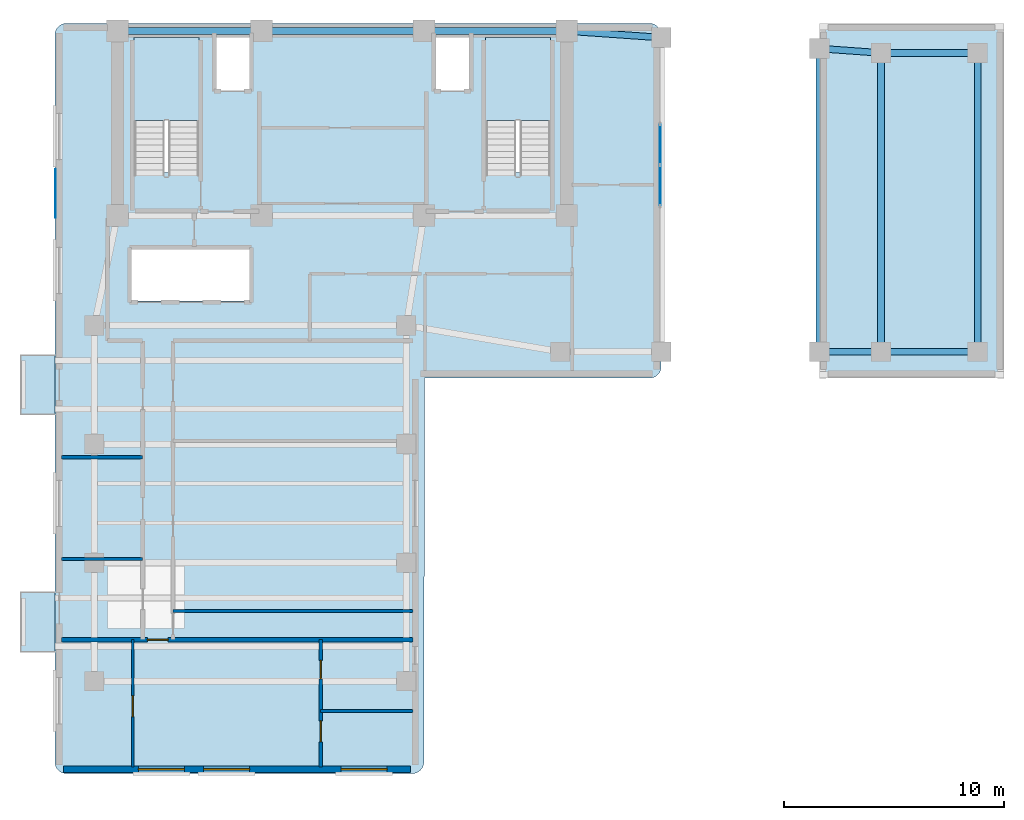
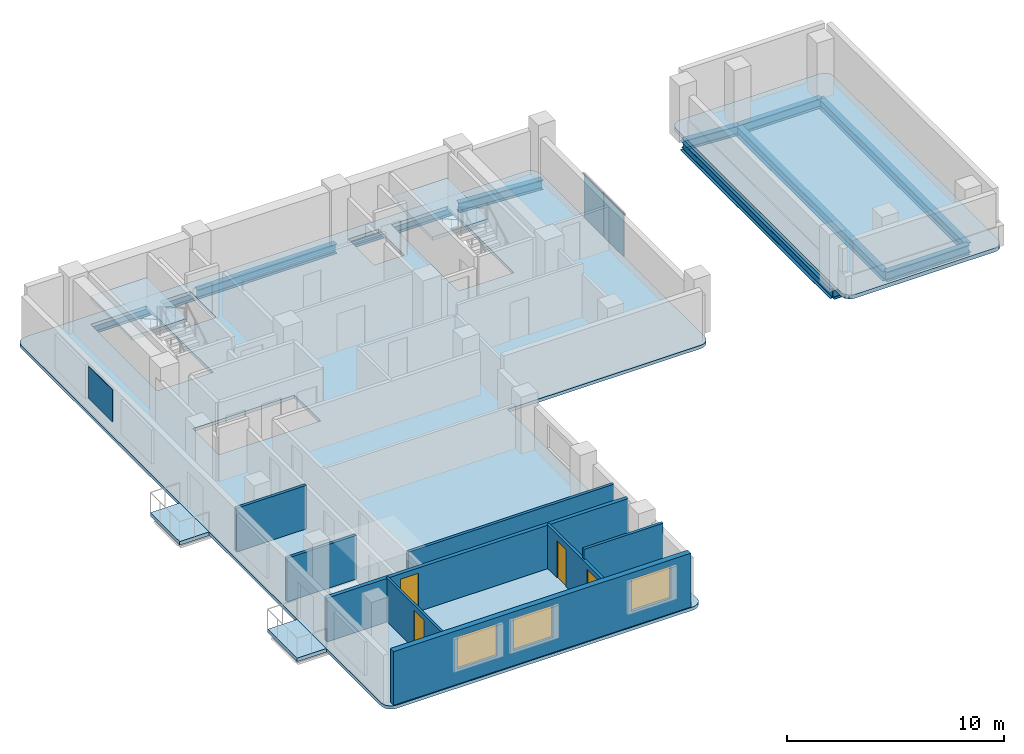
# One storey, part 5 of 9: 11 beams, 8 walls, 6 slabs, 4 doors, 3 plates, 3 windows, 7 openings, 3 elements without a shape of their own.
"""IFC4 building model written with IfcOpenShell, lengths in metres."""

from ifc_helpers import new_model, si_unit, direction, frame, frame_2d, origin, origin_2d, place, context, subcontext, project, spatial, polyline, rectangle, i_section, outline, extrude, material, layer, layer_set, material_profile, profile_set, type_object, element, fill, aggregate, save


model = new_model("IFC4")

# Units and contexts
model_context = context("Model", 3, precision=1e-05, world=origin(), true_north=direction((0.0, 1.0)))
body_context = subcontext(model_context, "Body", "Model", "MODEL_VIEW")
ifc_project = project(units=[si_unit("LENGTHUNIT", "METRE"), si_unit("AREAUNIT", "SQUARE_METRE"), si_unit("VOLUMEUNIT", "CUBIC_METRE"), si_unit("PLANEANGLEUNIT", "RADIAN"), si_unit("MASSUNIT", "GRAM", prefix="KILO")], contexts=[model_context])

# Site, building, storey
site_placement = place(None, origin())
site = spatial("IfcSite", under=ifc_project, at=site_placement, CompositionType="ELEMENT")
building_placement = place(site_placement, origin())
building = spatial("IfcBuilding", under=site, at=building_placement, Name="Kuzgunbayir Cultural Tower", CompositionType="ELEMENT")
storey_placement = place(building_placement, frame((0.0, 0.0, 166.39990234375)))
storey = spatial("IfcBuildingStorey", under=building, at=storey_placement, Name="L48", CompositionType="ELEMENT", Elevation=166.39990234375)

# Beams
ifc_material_1 = material(Name="Steel S355J2", Category="steel")
ifc_material_profile_1 = material_profile(ifc_material_1, i_section(OverallWidth=0.300048828125, OverallDepth=0.550048828125, WebThickness=0.014892578125, FlangeThickness=0.029052734375, FilletRadius=0.027099609375, at=origin_2d()), Name="HEB 550")
ifc_profile_set_1 = profile_set([ifc_material_profile_1], Name="Steel S355J2")
beam_type_1 = type_object("IfcBeamType", Name="BM-EXT-HEB550", PredefinedType="BEAM", material=ifc_profile_set_1)
beam_1_placement = place(storey_placement, frame((26.89990234375, 42.199951171875, -0.4599609375), z_axis=(0.997574369175, -0.069608749203, 0.0), x_axis=(0.069608749203, 0.997574369175, 0.0)))
element("IfcBeam", 1, at=beam_1_placement, inside=storey, type_object=beam_type_1, Name="L48 Wing B North Girder", PredefinedType="BEAM", context=body_context, shape_type="SweptSolid", body=[
    extrude(i_section(OverallWidth=0.300048828125, OverallDepth=0.550048828125, WebThickness=0.014892578125, FlangeThickness=0.029052734375, FilletRadius=0.027099609375, at=origin_2d()), origin(), (0.0, 0.0, 1.0), 4.310546875),
])
beam_2_placement = place(storey_placement, frame((38.39990234375, 27.60009765625, -0.489990234375), z_axis=(1.0, 0.0, 0.0), x_axis=(0.0, 1.0, 0.0)))
element("IfcBeam", 2, at=beam_2_placement, inside=storey, type_object=beam_type_1, Name="L48 Wing B South Girder", PredefinedType="BEAM", context=body_context, shape_type="SweptSolid", body=[
    extrude(i_section(OverallWidth=0.300048828125, OverallDepth=0.550048828125, WebThickness=0.014892578125, FlangeThickness=0.029052734375, FilletRadius=0.027099609375, at=origin_2d()), origin(), (0.0, 0.0, 1.0), 2.800048828125),
])
beam_3_placement = place(storey_placement, frame((38.39990234375, 41.39990234375, -0.489990234375), z_axis=(0.997460024076, -0.071228508128, 0.0), x_axis=(0.071228508128, 0.997460024076, 0.0)))
element("IfcBeam", 3, at=beam_3_placement, inside=storey, type_object=beam_type_1, Name="L48 Wing B North Girder", PredefinedType="BEAM", context=body_context, shape_type="SweptSolid", body=[
    extrude(i_section(OverallWidth=0.300048828125, OverallDepth=0.550048828125, WebThickness=0.014892578125, FlangeThickness=0.029052734375, FilletRadius=0.027099609375, at=origin_2d()), origin(), (0.0, 0.0, 1.0), 2.80712890625),
])
for number, where, z_axis, x_axis, name in (
    (4, (41.199951171875, 27.60009765625, -0.489990234375), (1.0, 0.0, 0.0), (0.0, 1.0, 0.0), "L48 Wing B South Girder"),
    (5, (41.199951171875, 41.199951171875, -0.489990234375), (1.0, 0.0, 0.0), (0.0, 1.0, 0.0), "L48 Wing B North Girder"),
):
    element("IfcBeam", number, at=place(storey_placement, frame(where, z_axis=z_axis, x_axis=x_axis)), inside=storey, type_object=beam_type_1, Name=name, PredefinedType="BEAM", context=body_context, shape_type="SweptSolid", body=[
        extrude(i_section(OverallWidth=0.300048828125, OverallDepth=0.550048828125, WebThickness=0.014892578125, FlangeThickness=0.029052734375, FilletRadius=0.027099609375, at=origin_2d()), origin(), (0.0, 0.0, 1.0), 4.400146484375),
    ])
ifc_material_profile_2 = material_profile(ifc_material_1, i_section(OverallWidth=0.300048828125, OverallDepth=0.550048828125, WebThickness=0.014892578125, FlangeThickness=0.029052734375, FilletRadius=0.027099609375, at=origin_2d()), Name="HEB 550")
ifc_profile_set_2 = profile_set([ifc_material_profile_2], Name="Steel S355J2")
beam_type_2 = type_object("IfcBeamType", Name="BM-GIR-HEB550", PredefinedType="BEAM", material=ifc_profile_set_2)
beam_4_placement = place(storey_placement, frame((6.449951171875, 42.199951171875, -0.4599609375), z_axis=(1.0, 0.0, 0.0), x_axis=(0.0, 1.0, 0.0)))
element("IfcBeam", 6, at=beam_4_placement, inside=storey, type_object=beam_type_2, Name="L48 Core North Girder 1", PredefinedType="BEAM", context=body_context, shape_type="SweptSolid", body=[
    extrude(i_section(OverallWidth=0.300048828125, OverallDepth=0.550048828125, WebThickness=0.014892578125, FlangeThickness=0.029052734375, FilletRadius=0.027099609375, at=origin_2d()), origin(), (0.0, 0.0, 1.0), 6.550048828125),
])
beam_5_placement = place(storey_placement, frame((13.0, 42.199951171875, -0.4599609375), z_axis=(1.0, 0.0, 0.0), x_axis=(0.0, 1.0, 0.0)))
element("IfcBeam", 7, at=beam_5_placement, inside=storey, type_object=beam_type_2, Name="L48 Core North Girder 2", PredefinedType="BEAM", context=body_context, shape_type="SweptSolid", body=[
    extrude(i_section(OverallWidth=0.300048828125, OverallDepth=0.550048828125, WebThickness=0.014892578125, FlangeThickness=0.029052734375, FilletRadius=0.027099609375, at=origin_2d()), origin(), (0.0, 0.0, 1.0), 7.39990234375),
])
beam_6_placement = place(storey_placement, frame((20.39990234375, 42.199951171875, -0.4599609375), z_axis=(1.0, 0.0, 0.0), x_axis=(0.0, 1.0, 0.0)))
element("IfcBeam", 8, at=beam_6_placement, inside=storey, type_object=beam_type_2, Name="L48 Core North Girder 3", PredefinedType="BEAM", context=body_context, shape_type="SweptSolid", body=[
    extrude(i_section(OverallWidth=0.300048828125, OverallDepth=0.550048828125, WebThickness=0.014892578125, FlangeThickness=0.029052734375, FilletRadius=0.027099609375, at=origin_2d()), origin(), (0.0, 0.0, 1.0), 6.5),
])
beam_7_placement = place(storey_placement, frame((38.39990234375, 27.60009765625, -0.489990234375), z_axis=(0.0, 1.0, 0.0), x_axis=(-1.0, 0.0, 0.0)))
element("IfcBeam", 9, at=beam_7_placement, inside=storey, type_object=beam_type_2, Name="L48 Wing B Cross Girder", PredefinedType="BEAM", context=body_context, shape_type="SweptSolid", body=[
    extrude(i_section(OverallWidth=0.300048828125, OverallDepth=0.550048828125, WebThickness=0.014892578125, FlangeThickness=0.029052734375, FilletRadius=0.027099609375, at=origin_2d()), origin(), (0.0, 0.0, 1.0), 13.7998046875),
])
for number, where, z_axis, x_axis, name in (
    (10, (41.199951171875, 27.60009765625, -0.489990234375), (0.0, 1.0, 0.0), (-1.0, 0.0, 0.0), "L48 Wing B Cross Girder"),
    (11, (45.60009765625, 27.60009765625, -0.489990234375), (0.0, 1.0, 0.0), (-1.0, 0.0, 0.0), "L48 Wing B Cross Girder"),
):
    element("IfcBeam", number, at=place(storey_placement, frame(where, z_axis=z_axis, x_axis=x_axis)), inside=storey, type_object=beam_type_2, Name=name, PredefinedType="BEAM", context=body_context, shape_type="SweptSolid", body=[
        extrude(i_section(OverallWidth=0.300048828125, OverallDepth=0.550048828125, WebThickness=0.014892578125, FlangeThickness=0.029052734375, FilletRadius=0.027099609375, at=origin_2d()), origin(), (0.0, 0.0, 1.0), 13.599853515625),
    ])

# Curtain wall, plates
ifc_material_2 = material(Name="Anodised Aluminium Framing", Category="aluminium")
curtain_wall_type = type_object("IfcCurtainWallType", Name="CW02-PORTAL-SOFFIT", PredefinedType="NOTDEFINED", material=ifc_material_2)
curtain_wall_placement = place(storey_placement, origin())
curtain_wall = element("IfcCurtainWall", 12, at=curtain_wall_placement, inside=storey, type_object=curtain_wall_type, Name="L48 Wind-Portal Aperture Curtain Wall", PredefinedType="NOTDEFINED")
ifc_material_3 = material(Name="Solar-Control Triple Glazing", Category="glass")
ifc_layer_1 = layer(ifc_material_3, 0.035888671875)
ifc_layer_set_1 = layer_set([ifc_layer_1], Name="Solar-Control Triple Glazing")
plate_type_1 = type_object("IfcPlateType", Name="PLT-CW-GLASS-36", PredefinedType="CURTAIN_PANEL", material=ifc_layer_set_1)
plate_1_placement = place(storey_placement, frame((31.14990234375, 35.1650390625, 0.06005859375), z_axis=(0.0, 0.0, 1.0), x_axis=(0.0, 1.0, 0.0)))
plate_1 = element("IfcPlate", 13, at=plate_1_placement, type_object=plate_type_1, Name="CW02 panel 1.1", PredefinedType="CURTAIN_PANEL", context=body_context, shape_type="SweptSolid", body=[
    extrude(rectangle(XDim=1.81005859375, YDim=0.035888671875, at=origin_2d()), origin(), (0.0, 0.0, 1.0), 2.39990234375),
])
plate_2_placement = place(storey_placement, frame((31.14990234375, 37.034912109375, 0.06005859375), z_axis=(0.0, 0.0, 1.0), x_axis=(0.0, 1.0, 0.0)))
plate_2 = element("IfcPlate", 14, at=plate_2_placement, type_object=plate_type_1, Name="CW02 panel 2.1", PredefinedType="CURTAIN_PANEL", context=body_context, shape_type="SweptSolid", body=[
    extrude(rectangle(XDim=1.81005859375, YDim=0.035888671875, at=origin_2d()), origin(), (0.0, 0.0, 1.0), 2.39990234375),
])
aggregate(curtain_wall, [plate_1, plate_2])

# Plate
ifc_material_4 = material(Name="Perforated Bronze-Anodised Aluminium", Category="aluminium")
ifc_layer_2 = layer(ifc_material_4, 0.02392578125)
ifc_layer_set_2 = layer_set([ifc_layer_2], Name="Perforated Bronze-Anodised Aluminium")
plate_type_2 = type_object("IfcPlateType", Name="PLT-SOLAR-SCREEN-14", PredefinedType="SHEET", material=ifc_layer_set_2)
plate_3_placement = place(storey_placement, frame((3.639892578125, 34.800048828125, 0.75), z_axis=(0.0, 0.0, 1.0), x_axis=(1.0, 0.0, 0.0)))
element("IfcPlate", 15, at=plate_3_placement, inside=storey, type_object=plate_type_2, Name="L48 Tower 1 Perforated Ceramic Solar Screen Panel", PredefinedType="SHEET", context=body_context, shape_type="SweptSolid", body=[
    extrude(rectangle(XDim=0.02392578125, YDim=2.199951171875, at=origin_2d()), origin(), (0.0, 0.0, 1.0), 1.800048828125),
])

# Slabs
ifc_material_5 = material(Name="Concrete C40/50", Category="concrete")
ifc_layer_3 = layer(ifc_material_5, 0.199951171875)
ifc_layer_set_3 = layer_set([ifc_layer_3], Name="Concrete C40/50")
slab_type_1 = type_object("IfcSlabType", Name="SLB-BAL-STONE", PredefinedType="FLOOR", material=ifc_layer_set_3)
slab_1_placement = place(storey_placement, frame((0.0, 0.0, -0.199951171875)))
element("IfcSlab", 16, at=slab_1_placement, inside=storey, type_object=slab_type_1, Name="L48 Projecting Limestone Balcony BAL-L48-WA1", PredefinedType="FLOOR", context=body_context, shape_type="SweptSolid", body=[
    extrude(outline(polyline([(2.0400390625, 13.949951171875), (3.60009765625, 13.949951171875), (3.60009765625, 16.64990234375), (2.0400390625, 16.64990234375), (2.0400390625, 13.949951171875)])), origin(), (0.0, 0.0, 1.0), 0.199951171875),
])
slab_2_placement = place(storey_placement, frame((0.0, 0.0, -0.199951171875)))
element("IfcSlab", 17, at=slab_2_placement, inside=storey, type_object=slab_type_1, Name="L48 Projecting Limestone Balcony BAL-L48-WA3", PredefinedType="FLOOR", context=body_context, shape_type="SweptSolid", body=[
    extrude(outline(polyline([(2.0400390625, 24.75), (3.60009765625, 24.75), (3.60009765625, 27.449951171875), (2.0400390625, 27.449951171875), (2.0400390625, 24.75)])), origin(), (0.0, 0.0, 1.0), 0.199951171875),
])

# Stair, slab
stair_type = type_object("IfcStairType", Name="STR-EXIT-CORE", PredefinedType="HALF_TURN_STAIR", material=ifc_material_5)
stair_1_placement = place(storey_placement, origin())
stair_1 = element("IfcStair", 18, at=stair_1_placement, inside=storey, type_object=stair_type, Name="L48 ST-1", PredefinedType="HALF_TURN_STAIR")
ifc_layer_4 = layer(ifc_material_5, 0.179931640625)
ifc_layer_set_4 = layer_set([ifc_layer_4], Name="Concrete C40/50")
slab_type_2 = type_object("IfcSlabType", Name="SLB-LANDING-180", PredefinedType="LANDING", material=ifc_layer_set_4)
slab_3_placement = place(storey_placement, frame((0.0, 0.0, 1.400146484375)))
slab_3 = element("IfcSlab", 19, at=slab_3_placement, type_object=slab_type_2, Name="ST-1 landing 1", PredefinedType="LANDING", context=body_context, shape_type="SweptSolid", body=[
    extrude(outline(polyline([(10.159912109375, 38.1201171875), (10.159912109375, 41.89990234375), (7.199951171875, 41.89990234375), (7.199951171875, 38.1201171875), (10.159912109375, 38.1201171875)])), origin(), (0.0, 0.0, 1.0), 0.199951171875),
])
aggregate(stair_1, [slab_3])

stair_2_placement = place(storey_placement, origin())
stair_2 = element("IfcStair", 20, at=stair_2_placement, inside=storey, type_object=stair_type, Name="L48 ST-2", PredefinedType="HALF_TURN_STAIR")
slab_4_placement = place(storey_placement, frame((0.0, 0.0, 1.400146484375)))
slab_4 = element("IfcSlab", 21, at=slab_4_placement, type_object=slab_type_2, Name="ST-2 landing 1", PredefinedType="LANDING", context=body_context, shape_type="SweptSolid", body=[
    extrude(outline(polyline([(26.159912109375, 38.1201171875), (26.159912109375, 41.89990234375), (23.199951171875, 41.89990234375), (23.199951171875, 38.1201171875), (26.159912109375, 38.1201171875)])), origin(), (0.0, 0.0, 1.0), 0.199951171875),
])
aggregate(stair_2, [slab_4])

# Slabs
ifc_layer_5 = layer(ifc_material_5, 0.219970703125)
ifc_layer_set_5 = layer_set([ifc_layer_5], Name="Concrete C40/50")
slab_type_3 = type_object("IfcSlabType", Name="SLB-ROOF-COMP-220", PredefinedType="ROOF", material=ifc_layer_set_5)
slab_5_placement = place(storey_placement, frame((0.0, 0.0, -0.219970703125)))
element("IfcSlab", 22, at=slab_5_placement, inside=storey, type_object=slab_type_3, Name="L48 Tower 1 Portal Structural Cap T1-PIER", PredefinedType="ROOF", context=body_context, shape_type="SweptSolid", body=[
    extrude(outline(polyline([(46.300048828125, 26.39990234375), (46.39990234375, 26.409912109375), (46.489990234375, 26.43994140625), (46.580078125, 26.47998046875), (46.64990234375, 26.550048828125), (46.719970703125, 26.6201171875), (46.760009765625, 26.7099609375), (46.7900390625, 26.800048828125), (46.800048828125, 26.89990234375), (46.800048828125, 42.050048828125), (46.7900390625, 42.14990234375), (46.760009765625, 42.239990234375), (46.719970703125, 42.330078125), (46.64990234375, 42.39990234375), (46.580078125, 42.469970703125), (46.489990234375, 42.510009765625), (46.39990234375, 42.5400390625), (46.300048828125, 42.550048828125), (38.89990234375, 42.550048828125), (38.800048828125, 42.5400390625), (38.7099609375, 42.510009765625), (38.6201171875, 42.469970703125), (38.550048828125, 42.39990234375), (38.47998046875, 42.330078125), (38.43994140625, 42.239990234375), (38.409912109375, 42.14990234375), (38.39990234375, 42.050048828125), (38.39990234375, 26.89990234375), (38.409912109375, 26.800048828125), (38.43994140625, 26.7099609375), (38.47998046875, 26.6201171875), (38.550048828125, 26.550048828125), (38.6201171875, 26.47998046875), (38.7099609375, 26.43994140625), (38.800048828125, 26.409912109375), (38.89990234375, 26.39990234375), (46.300048828125, 26.39990234375)])), origin(), (0.0, 0.0, 1.0), 0.219970703125),
])
ifc_layer_6 = layer(ifc_material_5, 0.179931640625)
ifc_layer_set_6 = layer_set([ifc_layer_6], Name="Concrete C40/50")
slab_type_4 = type_object("IfcSlabType", Name="SLB-TYP-180", PredefinedType="FLOOR", material=ifc_layer_set_6)
slab_6_placement = place(storey_placement, frame((0.0, 0.0, -0.179931640625)))
element("IfcSlab", 23, at=slab_6_placement, inside=storey, type_object=slab_type_4, Name="L48 Tower 1 Floor Slab T1-WEST", PredefinedType="FLOOR", context=body_context, shape_type="SweptSolid", body=[
    extrude(outline(polyline([(20.39990234375, 8.949951171875), (20.389892578125, 8.840087890625), (20.360107421875, 8.739990234375), (20.31005859375, 8.639892578125), (20.239990234375, 8.56005859375), (20.159912109375, 8.489990234375), (20.06005859375, 8.43994140625), (19.9599609375, 8.409912109375), (19.85009765625, 8.39990234375), (4.14990234375, 8.39990234375), (4.0400390625, 8.409912109375), (3.93994140625, 8.43994140625), (3.840087890625, 8.489990234375), (3.760009765625, 8.56005859375), (3.68994140625, 8.639892578125), (3.639892578125, 8.739990234375), (3.610107421875, 8.840087890625), (3.60009765625, 8.949951171875), (3.60009765625, 42.0), (3.610107421875, 42.110107421875), (3.639892578125, 42.2099609375), (3.68994140625, 42.31005859375), (3.760009765625, 42.389892578125), (3.840087890625, 42.4599609375), (3.93994140625, 42.510009765625), (4.0400390625, 42.5400390625), (4.14990234375, 42.550048828125), (30.64990234375, 42.550048828125), (30.760009765625, 42.5400390625), (30.860107421875, 42.510009765625), (30.9599609375, 42.4599609375), (31.0400390625, 42.389892578125), (31.110107421875, 42.31005859375), (31.159912109375, 42.2099609375), (31.18994140625, 42.110107421875), (31.199951171875, 42.0), (31.199951171875, 26.949951171875), (31.18994140625, 26.840087890625), (31.159912109375, 26.739990234375), (31.110107421875, 26.639892578125), (31.0400390625, 26.56005859375), (30.9599609375, 26.489990234375), (30.860107421875, 26.43994140625), (30.760009765625, 26.409912109375), (30.64990234375, 26.39990234375), (20.429931640625, 26.39990234375), (20.39990234375, 8.949951171875)]), holes=[polyline([(7.199951171875, 35.760009765625), (7.199951171875, 41.89990234375), (10.159912109375, 41.89990234375), (10.159912109375, 35.760009765625), (7.199951171875, 35.760009765625)]), polyline([(23.199951171875, 35.760009765625), (23.199951171875, 41.89990234375), (26.159912109375, 41.89990234375), (26.159912109375, 35.760009765625), (23.199951171875, 35.760009765625)]), polyline([(7.10009765625, 29.89990234375), (7.10009765625, 32.300048828125), (12.5, 32.300048828125), (12.5, 29.89990234375), (7.10009765625, 29.89990234375)]), polyline([(10.89990234375, 39.5), (10.89990234375, 41.89990234375), (12.5, 41.89990234375), (12.5, 39.5), (10.89990234375, 39.5)]), polyline([(20.89990234375, 39.5), (20.89990234375, 41.89990234375), (22.5, 41.89990234375), (22.5, 39.5), (20.89990234375, 39.5)])]), origin(), (0.0, 0.0, 1.0), 0.179931640625),
])

# Wall, openings, windows
ifc_material_6 = material(Name="Anatolian Cream Limestone", Category="masonry")
ifc_layer_7 = layer(ifc_material_6, 0.300048828125)
ifc_layer_set_7 = layer_set([ifc_layer_7], Name="Anatolian Cream Limestone")
wall_type_1 = type_object("IfcWallType", Name="WAL-EXT-STONE-300", PredefinedType="STANDARD", material=ifc_layer_set_7)
wall_1_placement = place(storey_placement, frame((4.0, 8.60009765625, 0.0), z_axis=(0.0, 0.0, 1.0), x_axis=(1.0, 0.0, 0.0)))
wall_1 = element("IfcWall", 24, at=wall_1_placement, inside=storey, type_object=wall_type_1, Name="L48 Wing A South Limestone Wall", PredefinedType="STANDARD", context=body_context, shape_type="SweptSolid", body=[
    extrude(rectangle(XDim=15.800048828125, YDim=0.300048828125, at=frame_2d((7.89990234375, 0.0))), origin(), (0.0, 0.0, 1.0), 3.02001953125),
])
opening_1_placement = place(wall_1_placement, frame((6.3701171875, 0.0, 0.85009765625)))
opening_1 = element("IfcOpeningElement", 25, at=opening_1_placement, cuts=wall_1, Name="Opening WR-21", PredefinedType="OPENING", context=body_context, shape_type="SweptSolid", body=[
    extrude(rectangle(XDim=2.10009765625, YDim=1.800048828125, at=frame_2d((1.050048828125, 0.89990234375))), frame((0.0, 0.16015625, 0.0), z_axis=(0.0, -1.0, 0.0), x_axis=(1.0, 0.0, 0.0)), (0.0, 0.0, 1.0), 0.320068359375),
])
opening_2_placement = place(wall_1_placement, frame((12.6298828125, 0.0, 0.85009765625)))
opening_2 = element("IfcOpeningElement", 26, at=opening_2_placement, cuts=wall_1, Name="Opening WR-21", PredefinedType="OPENING", context=body_context, shape_type="SweptSolid", body=[
    extrude(rectangle(XDim=2.10009765625, YDim=1.800048828125, at=frame_2d((1.050048828125, 0.89990234375))), frame((0.0, 0.16015625, 0.0), z_axis=(0.0, -1.0, 0.0), x_axis=(1.0, 0.0, 0.0)), (0.0, 0.0, 1.0), 0.320068359375),
])
opening_3_placement = place(wall_1_placement, frame((3.39990234375, 0.0, 0.85009765625)))
opening_3 = element("IfcOpeningElement", 27, at=opening_3_placement, cuts=wall_1, Name="Opening WR-21", PredefinedType="OPENING", context=body_context, shape_type="SweptSolid", body=[
    extrude(rectangle(XDim=2.10009765625, YDim=1.800048828125, at=frame_2d((1.050048828125, 0.89990234375))), frame((0.0, 0.16015625, 0.0), z_axis=(0.0, -1.0, 0.0), x_axis=(1.0, 0.0, 0.0)), (0.0, 0.0, 1.0), 0.320068359375),
])
window_type = type_object("IfcWindowType", Name="WIN-RESID-21", PartitioningType="SINGLE_PANEL", PredefinedType="WINDOW", material=ifc_material_3)
window_1_placement = place(opening_1_placement, origin())
window_1 = element("IfcWindow", 28, at=window_1_placement, inside=storey, type_object=window_type, Name="L48 WAS Facade Window 2", OverallHeight=1.800048828125, OverallWidth=2.10009765625, PartitioningType="SINGLE_PANEL", PredefinedType="WINDOW", context=body_context, shape_type="SweptSolid", body=[
    extrude(rectangle(XDim=2.10009765625, YDim=1.800048828125, at=frame_2d((1.050048828125, 0.89990234375))), frame((0.0, 0.030029296875, 0.0), z_axis=(0.0, -1.0, 0.0), x_axis=(1.0, 0.0, 0.0)), (0.0, 0.0, 1.0), 0.06005859375),
])
fill(opening_1, window_1)
window_2_placement = place(opening_2_placement, origin())
window_2 = element("IfcWindow", 29, at=window_2_placement, inside=storey, type_object=window_type, Name="L48 WAS Facade Window 3", OverallHeight=1.800048828125, OverallWidth=2.10009765625, PartitioningType="SINGLE_PANEL", PredefinedType="WINDOW", context=body_context, shape_type="SweptSolid", body=[
    extrude(rectangle(XDim=2.10009765625, YDim=1.800048828125, at=frame_2d((1.050048828125, 0.89990234375))), frame((0.0, 0.030029296875, 0.0), z_axis=(0.0, -1.0, 0.0), x_axis=(1.0, 0.0, 0.0)), (0.0, 0.0, 1.0), 0.06005859375),
])
fill(opening_2, window_2)
window_3_placement = place(opening_3_placement, origin())
window_3 = element("IfcWindow", 30, at=window_3_placement, inside=storey, type_object=window_type, Name="L48 WAS Facade Window 9", OverallHeight=1.800048828125, OverallWidth=2.10009765625, PartitioningType="SINGLE_PANEL", PredefinedType="WINDOW", context=body_context, shape_type="SweptSolid", body=[
    extrude(rectangle(XDim=2.10009765625, YDim=1.800048828125, at=frame_2d((1.050048828125, 0.89990234375))), frame((0.0, 0.030029296875, 0.0), z_axis=(0.0, -1.0, 0.0), x_axis=(1.0, 0.0, 0.0)), (0.0, 0.0, 1.0), 0.06005859375),
])
fill(opening_3, window_3)

# Walls
ifc_material_7 = material(Name="Acoustic Double-Stud Drywall", Category="gypsum")
ifc_layer_8 = layer(ifc_material_7, 0.14990234375)
ifc_layer_set_8 = layer_set([ifc_layer_8], Name="Acoustic Double-Stud Drywall")
wall_type_2 = type_object("IfcWallType", Name="WAL-PART-ACOUSTIC-150", PredefinedType="PARTITIONING", material=ifc_layer_set_8)
for number, where, z_axis, x_axis, name in (
    (31, (3.89990234375, 18.169921875, 0.0), (0.0, 0.0, 1.0), (1.0, 0.0, 0.0), "L48 West Study Partition 1"),
    (32, (3.89990234375, 22.800048828125, 0.0), (0.0, 0.0, 1.0), (1.0, 0.0, 0.0), "L48 West Study Partition 2"),
):
    element("IfcWall", number, at=place(storey_placement, frame(where, z_axis=z_axis, x_axis=x_axis)), inside=storey, type_object=wall_type_2, Name=name, PredefinedType="PARTITIONING", context=body_context, shape_type="SweptSolid", body=[
        extrude(rectangle(XDim=3.7001953125, YDim=0.14990234375, at=frame_2d((1.85009765625, 0.0))), origin(), (0.0, 0.0, 1.0), 2.4501953125),
    ])

# Wall, opening, door
ifc_material_8 = material(Name="Aerated Concrete Blockwork", Category="masonry")
ifc_layer_9 = layer(ifc_material_8, 0.199951171875)
ifc_layer_set_9 = layer_set([ifc_layer_9], Name="Aerated Concrete Blockwork")
wall_type_3 = type_object("IfcWallType", Name="WAL-PART-FIRE-200", PredefinedType="PARTITIONING", material=ifc_layer_set_9)
wall_2_placement = place(storey_placement, frame((3.89990234375, 14.5, 0.0), z_axis=(0.0, 0.0, 1.0), x_axis=(1.0, 0.0, 0.0)))
wall_2 = element("IfcWall", 33, at=wall_2_placement, inside=storey, type_object=wall_type_3, Name="L48 South Cross Partition", PredefinedType="PARTITIONING", context=body_context, shape_type="SweptSolid", body=[
    extrude(rectangle(XDim=16.0, YDim=0.199951171875, at=frame_2d((8.0, 0.0))), origin(), (0.0, 0.0, 1.0), 2.4501953125),
])
opening_4_placement = place(wall_2_placement, frame((3.909912109375, 0.0, 0.0)))
opening_4 = element("IfcOpeningElement", 34, at=opening_4_placement, cuts=wall_2, Name="Opening DR-APT-60", PredefinedType="OPENING", context=body_context, shape_type="SweptSolid", body=[
    extrude(rectangle(XDim=0.949951171875, YDim=2.14990234375, at=frame_2d((0.47509765625, 1.074951171875))), frame((0.0, 0.10986328125, 0.0), z_axis=(0.0, -1.0, 0.0), x_axis=(1.0, 0.0, 0.0)), (0.0, 0.0, 1.0), 0.219970703125),
])
ifc_material_9 = material(Name="Acoustic Fire Timber Leaf", Category="wood")
door_type_1 = type_object("IfcDoorType", Name="DR-APT-60", OperationType="NOTDEFINED", PredefinedType="DOOR", material=ifc_material_9)
door_1_placement = place(opening_4_placement, origin())
door_1 = element("IfcDoor", 35, at=door_1_placement, inside=storey, type_object=door_type_1, Name="L48 Apartment A Entrance", OperationType="SINGLE_SWING_LEFT", OverallHeight=2.14990234375, OverallWidth=0.949951171875, PredefinedType="DOOR", context=body_context, shape_type="SweptSolid", body=[
    extrude(rectangle(XDim=0.949951171875, YDim=2.14990234375, at=frame_2d((0.47509765625, 1.074951171875))), frame((0.0, 0.02490234375, 0.0), z_axis=(0.0, -1.0, 0.0), x_axis=(1.0, 0.0, 0.0)), (0.0, 0.0, 1.0), 0.050048828125),
])
fill(opening_4, door_1)

ifc_material_10 = material(Name="Framed Gypsum Partition", Category="gypsum")
ifc_layer_10 = layer(ifc_material_10, 0.1201171875)
ifc_layer_set_10 = layer_set([ifc_layer_10], Name="Framed Gypsum Partition")
wall_type_4 = type_object("IfcWallType", Name="WAL-PART-INT-120", PredefinedType="PARTITIONING", material=ifc_layer_set_10)
wall_3_placement = place(storey_placement, frame((7.14990234375, 8.699951171875, 0.0), z_axis=(0.0, 0.0, 1.0), x_axis=(0.0, 1.0, 0.0)))
wall_3 = element("IfcWall", 36, at=wall_3_placement, inside=storey, type_object=wall_type_4, Name="L48 Flat A West Bedroom Wall", PredefinedType="PARTITIONING", context=body_context, shape_type="SweptSolid", body=[
    extrude(rectangle(XDim=5.800048828125, YDim=0.1201171875, at=frame_2d((2.89990234375, 0.0))), origin(), (0.0, 0.0, 1.0), 2.4501953125),
])
opening_5_placement = place(wall_3_placement, frame((2.2900390625, 0.0, 0.0)))
opening_5 = element("IfcOpeningElement", 37, at=opening_5_placement, cuts=wall_3, Name="Opening DI-90", PredefinedType="OPENING", context=body_context, shape_type="SweptSolid", body=[
    extrude(rectangle(XDim=0.949951171875, YDim=2.14990234375, at=frame_2d((0.47509765625, 1.074951171875))), frame((0.0, 0.070068359375, 0.0), z_axis=(0.0, -1.0, 0.0), x_axis=(1.0, 0.0, 0.0)), (0.0, 0.0, 1.0), 0.14013671875),
])
ifc_material_11 = material(Name="Veneered Oak Single Leaf", Category="wood")
door_type_2 = type_object("IfcDoorType", Name="DR-INT-90", OperationType="NOTDEFINED", PredefinedType="DOOR", material=ifc_material_11)
door_2_placement = place(opening_5_placement, origin())
door_2 = element("IfcDoor", 38, at=door_2_placement, inside=storey, type_object=door_type_2, Name="L48 Apartment A Bedroom Door", OperationType="SINGLE_SWING_RIGHT", OverallHeight=2.14990234375, OverallWidth=0.949951171875, PredefinedType="DOOR", context=body_context, shape_type="SweptSolid", body=[
    extrude(rectangle(XDim=0.949951171875, YDim=2.14990234375, at=frame_2d((0.47509765625, 1.074951171875))), frame((0.0, 0.02490234375, 0.0), z_axis=(0.0, -1.0, 0.0), x_axis=(1.0, 0.0, 0.0)), (0.0, 0.0, 1.0), 0.050048828125),
])
fill(opening_5, door_2)

# Wall, openings, doors
ifc_material_12 = material(Name="Moisture-Resistant Tile Partition", Category="gypsum")
ifc_layer_11 = layer(ifc_material_12, 0.14990234375)
ifc_layer_set_11 = layer_set([ifc_layer_11], Name="Moisture-Resistant Tile Partition")
wall_type_5 = type_object("IfcWallType", Name="WAL-PART-WET-150", PredefinedType="PARTITIONING", material=ifc_layer_set_11)
wall_4_placement = place(storey_placement, frame((15.699951171875, 8.699951171875, 0.0), z_axis=(0.0, 0.0, 1.0), x_axis=(0.0, 1.0, 0.0)))
wall_4 = element("IfcWall", 39, at=wall_4_placement, inside=storey, type_object=wall_type_5, Name="L48 Flat A East Service Wall", PredefinedType="PARTITIONING", context=body_context, shape_type="SweptSolid", body=[
    extrude(rectangle(XDim=5.800048828125, YDim=0.14990234375, at=frame_2d((2.89990234375, 0.0))), origin(), (0.0, 0.0, 1.0), 2.4501953125),
])
opening_6_placement = place(wall_4_placement, frame((1.14990234375, 0.0, 0.0)))
opening_6 = element("IfcOpeningElement", 40, at=opening_6_placement, cuts=wall_4, Name="Opening DI-90", PredefinedType="OPENING", context=body_context, shape_type="SweptSolid", body=[
    extrude(rectangle(XDim=0.949951171875, YDim=2.14990234375, at=frame_2d((0.47509765625, 1.074951171875))), frame((0.0, 0.0849609375, 0.0), z_axis=(0.0, -1.0, 0.0), x_axis=(1.0, 0.0, 0.0)), (0.0, 0.0, 1.0), 0.169921875),
])
opening_7_placement = place(wall_4_placement, frame((4.010009765625, 0.0, 0.0)))
opening_7 = element("IfcOpeningElement", 41, at=opening_7_placement, cuts=wall_4, Name="Opening DW-85", PredefinedType="OPENING", context=body_context, shape_type="SweptSolid", body=[
    extrude(rectangle(XDim=0.85009765625, YDim=2.10009765625, at=frame_2d((0.425048828125, 1.050048828125))), frame((0.0, 0.0849609375, 0.0), z_axis=(0.0, -1.0, 0.0), x_axis=(1.0, 0.0, 0.0)), (0.0, 0.0, 1.0), 0.169921875),
])
door_3_placement = place(opening_6_placement, origin())
door_3 = element("IfcDoor", 42, at=door_3_placement, inside=storey, type_object=door_type_2, Name="L48 Apartment A Kitchen Door", OperationType="SINGLE_SWING_LEFT", OverallHeight=2.14990234375, OverallWidth=0.949951171875, PredefinedType="DOOR", context=body_context, shape_type="SweptSolid", body=[
    extrude(rectangle(XDim=0.949951171875, YDim=2.14990234375, at=frame_2d((0.47509765625, 1.074951171875))), frame((0.0, 0.02490234375, 0.0), z_axis=(0.0, -1.0, 0.0), x_axis=(1.0, 0.0, 0.0)), (0.0, 0.0, 1.0), 0.050048828125),
])
fill(opening_6, door_3)
ifc_material_13 = material(Name="Laminate Moisture-Resistant Leaf", Category="wood")
door_type_3 = type_object("IfcDoorType", Name="DR-WET-85", OperationType="NOTDEFINED", PredefinedType="DOOR", material=ifc_material_13)
door_4_placement = place(opening_7_placement, origin())
door_4 = element("IfcDoor", 43, at=door_4_placement, inside=storey, type_object=door_type_3, Name="L48 Apartment A Bathroom Door", OperationType="SINGLE_SWING_RIGHT", OverallHeight=2.10009765625, OverallWidth=0.85009765625, PredefinedType="DOOR", context=body_context, shape_type="SweptSolid", body=[
    extrude(rectangle(XDim=0.85009765625, YDim=2.10009765625, at=frame_2d((0.425048828125, 1.050048828125))), frame((0.0, 0.02490234375, 0.0), z_axis=(0.0, -1.0, 0.0), x_axis=(1.0, 0.0, 0.0)), (0.0, 0.0, 1.0), 0.050048828125),
])
fill(opening_7, door_4)

# Walls
wall_5_placement = place(storey_placement, frame((15.699951171875, 11.25, 0.0), z_axis=(0.0, 0.0, 1.0), x_axis=(1.0, 0.0, 0.0)))
element("IfcWall", 44, at=wall_5_placement, inside=storey, type_object=wall_type_5, Name="L48 Flat A Bath Kitchen Divider", PredefinedType="PARTITIONING", context=body_context, shape_type="SweptSolid", body=[
    extrude(rectangle(XDim=4.199951171875, YDim=0.14990234375, at=frame_2d((2.10009765625, 0.0))), origin(), (0.0, 0.0, 1.0), 3.02001953125),
])
wall_6_placement = place(storey_placement, frame((8.97998046875, 15.800048828125, 0.0), z_axis=(0.0, 0.0, 1.0), x_axis=(1.0, 0.0, 0.0)))
element("IfcWall", 45, at=wall_6_placement, inside=storey, type_object=wall_type_5, Name="L48 East Accessible WC Wall", PredefinedType="PARTITIONING", context=body_context, shape_type="SweptSolid", body=[
    extrude(rectangle(XDim=10.919921875, YDim=0.14990234375, at=frame_2d((5.4599609375, 0.0))), origin(), (0.0, 0.0, 1.0), 2.4501953125),
])

save(model, "model.ifc")
